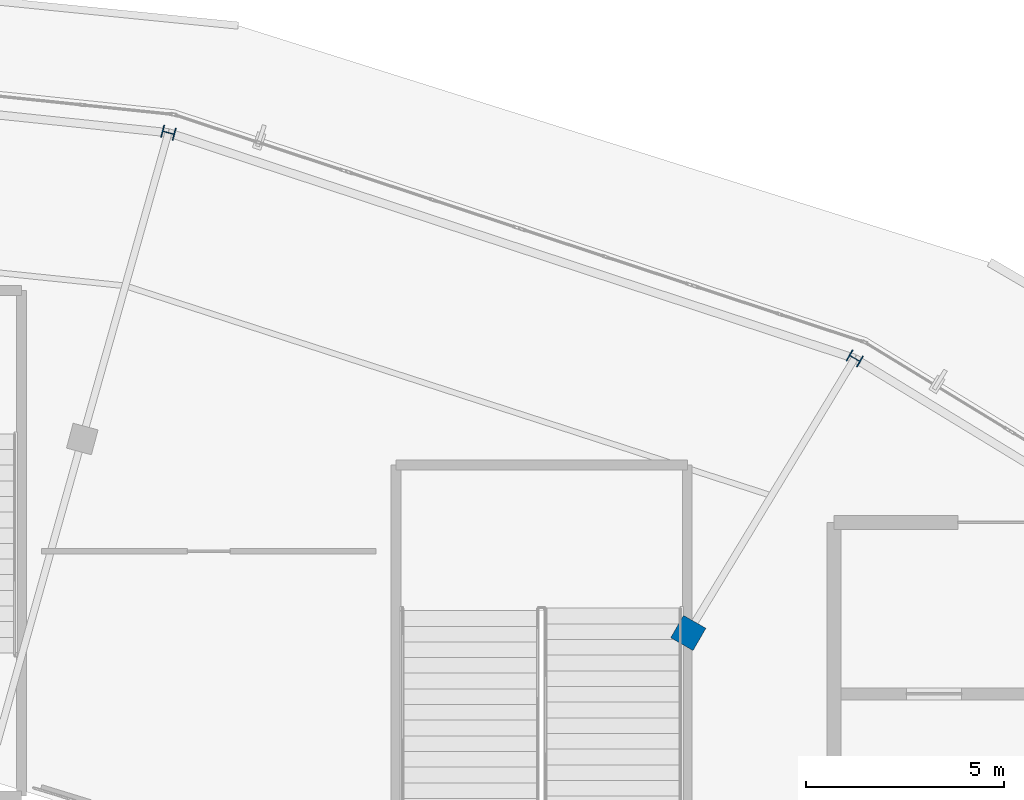
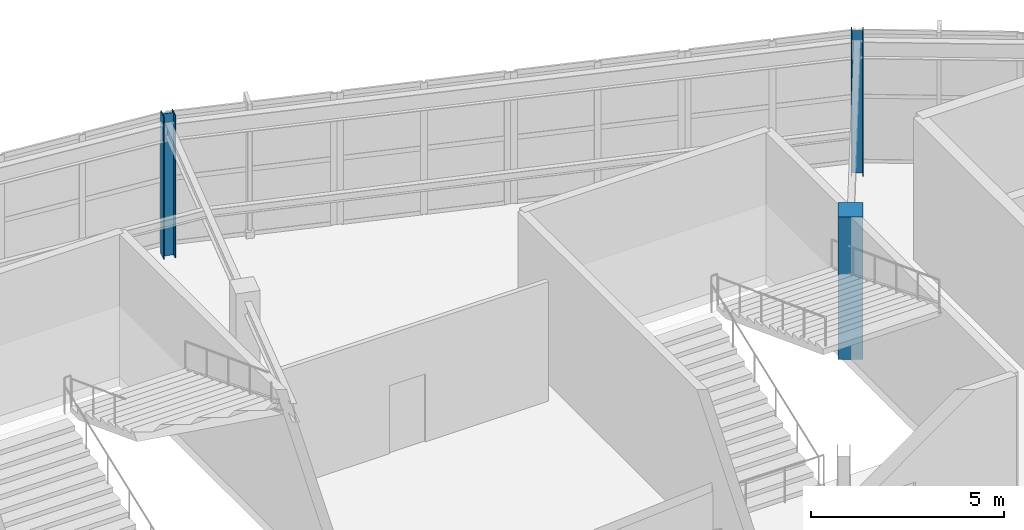
# One storey, part 9 of 126: 3 columns.
"""IFC4 building model written with IfcOpenShell, lengths in metres."""

from ifc_helpers import new_model, si_unit, direction, frame, origin, origin_2d, place, context, subcontext, project, spatial, rectangle, i_section, extrude, material, material_profile, profile_set, type_object, element, save


model = new_model("IFC4")

# Units and contexts
model_context = context("Model", 3, precision=1e-05, world=origin(), true_north=direction((0.0, 1.0)))
body_context = subcontext(model_context, "Body", "Model", "MODEL_VIEW")
ifc_project = project(units=[si_unit("LENGTHUNIT", "METRE"), si_unit("AREAUNIT", "SQUARE_METRE"), si_unit("VOLUMEUNIT", "CUBIC_METRE"), si_unit("PLANEANGLEUNIT", "RADIAN"), si_unit("MASSUNIT", "GRAM", prefix="KILO")], contexts=[model_context])

# Site, building, storey
site_placement = place(None, origin())
site = spatial("IfcSite", under=ifc_project, at=site_placement, CompositionType="ELEMENT")
building_placement = place(site_placement, origin())
building = spatial("IfcBuilding", under=site, at=building_placement, Name="Kalgoora Escarpment Arena", CompositionType="ELEMENT")
storey_placement = place(building_placement, frame((0.0, 0.0, 18.89990234375)))
storey = spatial("IfcBuildingStorey", under=building, at=storey_placement, Name="L04", CompositionType="ELEMENT", Elevation=18.89990234375)

# Columns
ifc_material_1 = material(Name="Structural steel AS/NZS 3679 (300 MPa)", Category="steel")
ifc_material_profile_1 = material_profile(ifc_material_1, i_section(OverallWidth=0.31103515625, OverallDepth=0.326904296875, WebThickness=0.015625, FlangeThickness=0.02490234375, at=origin_2d()))
ifc_profile_set_1 = profile_set([ifc_material_profile_1], Name="Structural steel AS/NZS 3679 (300 MPa)")
column_type_1 = type_object("IfcColumnType", Name="COL-COL-310UC158", PredefinedType="COLUMN", material=ifc_profile_set_1)
for number, where, z_axis, x_axis, name in (
    (1, (128.300048828125, 113.36328125, 0.0), (0.0, 0.0, 1.0), (0.5, 0.866025403784, 0.0), "L04 structural column COL-RCONC2-R05"),
    (2, (110.983154296875, 119.057861328125, 0.0), (0.0, 0.0, 1.0), (0.258819045103, 0.965925826289, 0.0), "L04 structural column COL-RCONC2-R06"),
):
    element("IfcColumn", number, at=place(storey_placement, frame(where, z_axis=z_axis, x_axis=x_axis)), inside=storey, type_object=column_type_1, Name=name, PredefinedType="COLUMN", context=body_context, shape_type="SweptSolid", body=[
        extrude(i_section(OverallWidth=0.31103515625, OverallDepth=0.326904296875, WebThickness=0.015625, FlangeThickness=0.02490234375, at=origin_2d()), origin(), (0.0, 0.0, 1.0), 4.5),
    ])
ifc_material_2 = material(Name="Concrete N50 (fc' 50 MPa)", Category="concrete")
ifc_material_profile_2 = material_profile(ifc_material_2, rectangle(XDim=0.64990234375, YDim=0.64990234375, at=origin_2d()))
ifc_profile_set_2 = profile_set([ifc_material_profile_2], Name="Concrete N50 (fc' 50 MPa)")
column_type_2 = type_object("IfcColumnType", Name="COL-COL-RC650x650", PredefinedType="COLUMN", material=ifc_profile_set_2)
column_placement = place(storey_placement, frame((124.10009765625, 106.435302734375, 0.0), z_axis=(0.0, 0.0, 1.0), x_axis=(0.5, 0.866025403784, 0.0)))
element("IfcColumn", 3, at=column_placement, inside=storey, type_object=column_type_2, Name="L04 structural column COL-RCONC1-R05", PredefinedType="COLUMN", context=body_context, shape_type="SweptSolid", body=[
    extrude(rectangle(XDim=0.64990234375, YDim=0.64990234375, at=origin_2d()), origin(), (0.0, 0.0, 1.0), 4.5),
])

save(model, "model.ifc")
